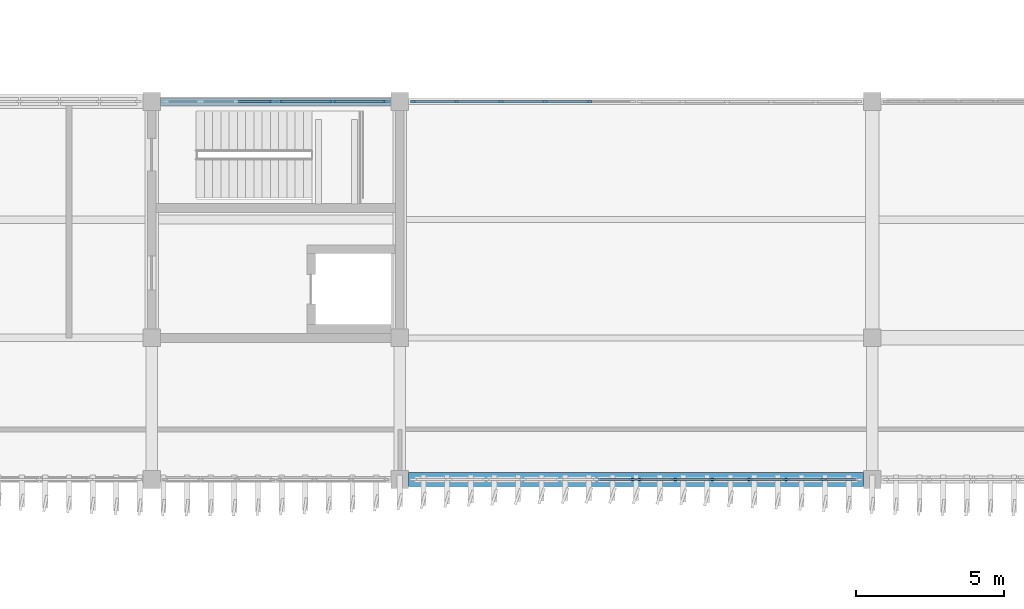
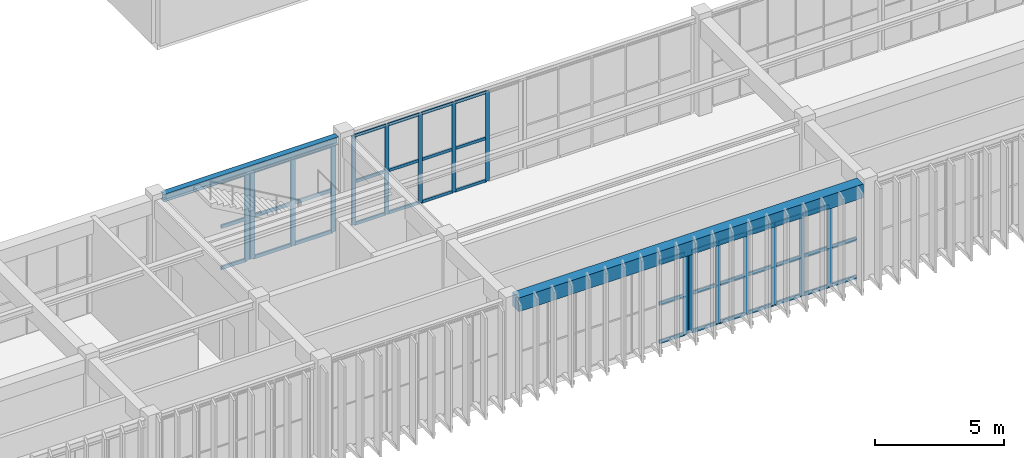
# One storey, part 15 of 64: 57 members, 2 beams, 5 elements without a shape of their own.
"""IFC4 building model written with IfcOpenShell, lengths in metres."""

from ifc_helpers import new_model, si_unit, direction, frame, origin, origin_2d, place, context, subcontext, project, spatial, rectangle, i_section, extrude, material, layer, layer_set, material_profile, profile_set, type_object, element, aggregate, save


model = new_model("IFC4")

# Units and contexts
model_context = context("Model", 3, precision=1e-05, world=origin(), true_north=direction((0.0, 1.0)))
body_context = subcontext(model_context, "Body", "Model", "MODEL_VIEW")
ifc_project = project(units=[si_unit("LENGTHUNIT", "METRE"), si_unit("AREAUNIT", "SQUARE_METRE"), si_unit("VOLUMEUNIT", "CUBIC_METRE"), si_unit("PLANEANGLEUNIT", "RADIAN"), si_unit("MASSUNIT", "GRAM", prefix="KILO")], contexts=[model_context])

# Site, building, storey
site_placement = place(None, origin())
site = spatial("IfcSite", under=ifc_project, at=site_placement, CompositionType="ELEMENT")
building_placement = place(site_placement, origin())
building = spatial("IfcBuilding", under=site, at=building_placement, Name="Cinchona Park Media Centre", CompositionType="ELEMENT")
storey_placement = place(building_placement, frame((0.0, 0.0, 5.39990234375)))
storey = spatial("IfcBuildingStorey", under=building, at=storey_placement, Name="L01", CompositionType="ELEMENT", Elevation=5.39990234375)

# Beams
ifc_material_1 = material(Name="Concrete C40/50", Category="concrete")
ifc_material_profile_1 = material_profile(ifc_material_1, rectangle(XDim=0.47998046875, YDim=0.64990234375, at=origin_2d()), Name="RB 480X650")
ifc_profile_set_1 = profile_set([ifc_material_profile_1], Name="Concrete C40/50")
beam_type_1 = type_object("IfcBeamType", Name="BEAM-B07-RB480X650", PredefinedType="BEAM", material=ifc_profile_set_1)
beam_1_placement = place(storey_placement, frame((95.10009765625, 74.800048828125, 4.215087890625), z_axis=(1.0, 0.0, 0.0), x_axis=(0.0, 1.0, 0.0)))
element("IfcBeam", 1, at=beam_1_placement, inside=storey, type_object=beam_type_1, Name="Beam B07 L01", PredefinedType="BEAM", context=body_context, shape_type="SweptSolid", body=[
    extrude(rectangle(XDim=0.47998046875, YDim=0.64990234375, at=origin_2d()), origin(), (0.0, 0.0, 1.0), 15.39990234375),
])
ifc_material_2 = material(Name="Steel S355", Category="steel")
ifc_material_profile_2 = material_profile(ifc_material_2, i_section(OverallWidth=0.257080078125, OverallDepth=0.363037109375, WebThickness=0.012939453125, FlangeThickness=0.021728515625, at=origin_2d()), Name="W360X122")
ifc_profile_set_2 = profile_set([ifc_material_profile_2], Name="Steel S355")
beam_type_2 = type_object("IfcBeamType", Name="BEAM-B08-W360X122", PredefinedType="BEAM", material=ifc_profile_set_2)
beam_2_placement = place(storey_placement, frame((86.699951171875, 87.60009765625, 4.358642578125), z_axis=(1.0, 0.0, 0.0), x_axis=(0.0, 1.0, 0.0)))
element("IfcBeam", 2, at=beam_2_placement, inside=storey, type_object=beam_type_2, Name="Beam B08 L01", PredefinedType="BEAM", context=body_context, shape_type="SweptSolid", body=[
    extrude(i_section(OverallWidth=0.257080078125, OverallDepth=0.363037109375, WebThickness=0.012939453125, FlangeThickness=0.021728515625, at=origin_2d()), origin(), (0.0, 0.0, 1.0), 7.800048828125),
])

# Curtain wall, members
ifc_material_3 = material(Name="Aluminium Curtain Wall Framing", Category="aluminium")
ifc_layer_1 = layer(ifc_material_3, 0.284912109375)
ifc_layer_set_1 = layer_set([ifc_layer_1], Name="Aluminium Curtain Wall Framing")
curtain_wall_type_1 = type_object("IfcCurtainWallType", Name="CW-CW08", PredefinedType="USERDEFINED", material=ifc_layer_set_1)
curtain_wall_1_placement = place(storey_placement, origin())
curtain_wall_1 = element("IfcCurtainWall", 3, at=curtain_wall_1_placement, inside=storey, type_object=curtain_wall_type_1, Name="Curtain Wall CW08 L01", ObjectType="UNITISED CURTAIN WALL", PredefinedType="USERDEFINED")
ifc_material_4 = material(Name="Anodised Aluminium Alloy 6063-T6", Category="aluminium")
ifc_material_profile_3 = material_profile(ifc_material_4, rectangle(XDim=0.070068359375, YDim=0.179931640625, at=origin_2d()), Name="MUL-70X180")
ifc_profile_set_3 = profile_set([ifc_material_profile_3], Name="Anodised Aluminium Alloy 6063-T6")
member_type_1 = type_object("IfcMemberType", Name="MULLION-MUL02", PredefinedType="MULLION", material=ifc_profile_set_3)
member_1_placement = place(storey_placement, frame((95.2548828125, 87.60009765625, 0.050048828125), z_axis=(0.0, 0.0, 1.0), x_axis=(0.0, 1.0, 0.0)))
member_1 = element("IfcMember", 4, at=member_1_placement, type_object=member_type_1, Name="CW08 mullion 1", PredefinedType="MULLION", context=body_context, shape_type="SweptSolid", body=[
    extrude(rectangle(XDim=0.070068359375, YDim=0.179931640625, at=origin_2d()), origin(), (0.0, 0.0, 1.0), 4.238037109375),
])
member_2_placement = place(storey_placement, frame((96.719970703125, 87.60009765625, 0.050048828125), z_axis=(0.0, 0.0, 1.0), x_axis=(0.0, 1.0, 0.0)))
member_2 = element("IfcMember", 5, at=member_2_placement, type_object=member_type_1, Name="CW08 mullion 2", PredefinedType="MULLION", context=body_context, shape_type="SweptSolid", body=[
    extrude(rectangle(XDim=0.070068359375, YDim=0.179931640625, at=origin_2d()), origin(), (0.0, 0.0, 1.0), 4.238037109375),
])
member_3_placement = place(storey_placement, frame((98.219970703125, 87.60009765625, 0.050048828125), z_axis=(0.0, 0.0, 1.0), x_axis=(0.0, 1.0, 0.0)))
member_3 = element("IfcMember", 6, at=member_3_placement, type_object=member_type_1, Name="CW08 mullion 3", PredefinedType="MULLION", context=body_context, shape_type="SweptSolid", body=[
    extrude(rectangle(XDim=0.070068359375, YDim=0.179931640625, at=origin_2d()), origin(), (0.0, 0.0, 1.0), 4.238037109375),
])
member_4_placement = place(storey_placement, frame((99.719970703125, 87.60009765625, 0.050048828125), z_axis=(0.0, 0.0, 1.0), x_axis=(0.0, 1.0, 0.0)))
member_4 = element("IfcMember", 7, at=member_4_placement, type_object=member_type_1, Name="CW08 mullion 4", PredefinedType="MULLION", context=body_context, shape_type="SweptSolid", body=[
    extrude(rectangle(XDim=0.070068359375, YDim=0.179931640625, at=origin_2d()), origin(), (0.0, 0.0, 1.0), 4.238037109375),
])
member_5_placement = place(storey_placement, frame((101.219970703125, 87.60009765625, 0.050048828125), z_axis=(0.0, 0.0, 1.0), x_axis=(0.0, 1.0, 0.0)))
member_5 = element("IfcMember", 8, at=member_5_placement, type_object=member_type_1, Name="CW08 mullion 5", PredefinedType="MULLION", context=body_context, shape_type="SweptSolid", body=[
    extrude(rectangle(XDim=0.070068359375, YDim=0.179931640625, at=origin_2d()), origin(), (0.0, 0.0, 1.0), 4.238037109375),
])

# Curtain wall, member
ifc_material_5 = material(Name="Aluminium Curtain Wall Framing", Category="aluminium")
ifc_layer_2 = layer(ifc_material_5, 0.2548828125)
ifc_layer_set_2 = layer_set([ifc_layer_2], Name="Aluminium Curtain Wall Framing")
curtain_wall_type_2 = type_object("IfcCurtainWallType", Name="CW-CW06", PredefinedType="USERDEFINED", material=ifc_layer_set_2)
curtain_wall_2_placement = place(storey_placement, origin())
curtain_wall_2 = element("IfcCurtainWall", 9, at=curtain_wall_2_placement, inside=storey, type_object=curtain_wall_type_2, Name="Curtain Wall CW06 L01", ObjectType="UNITISED CURTAIN WALL", PredefinedType="USERDEFINED")
ifc_material_6 = material(Name="Anodised Aluminium Alloy 6063-T6", Category="aluminium")
ifc_material_profile_4 = material_profile(ifc_material_6, rectangle(XDim=0.074951171875, YDim=0.2099609375, at=origin_2d()), Name="MUL-75X210")
ifc_profile_set_4 = profile_set([ifc_material_profile_4], Name="Anodised Aluminium Alloy 6063-T6")
member_type_2 = type_object("IfcMemberType", Name="MULLION-MUL03", PredefinedType="MULLION", material=ifc_profile_set_4)
member_6_placement = place(storey_placement, frame((90.482421875, 87.60009765625, 0.050048828125), z_axis=(0.0, 0.0, 1.0), x_axis=(0.0, 1.0, 0.0)))
member_6 = element("IfcMember", 10, at=member_6_placement, type_object=member_type_2, Name="CW06 mullion 4", PredefinedType="MULLION", context=body_context, shape_type="SweptSolid", body=[
    extrude(rectangle(XDim=0.074951171875, YDim=0.2099609375, at=origin_2d()), origin(), (0.0, 0.0, 1.0), 4.126953125),
])

# Curtain wall, members
ifc_material_7 = material(Name="Aluminium Curtain Wall Framing", Category="aluminium")
ifc_layer_3 = layer(ifc_material_7, 0.27001953125)
ifc_layer_set_3 = layer_set([ifc_layer_3], Name="Aluminium Curtain Wall Framing")
curtain_wall_type_3 = type_object("IfcCurtainWallType", Name="CW-CW07", PredefinedType="USERDEFINED", material=ifc_layer_set_3)
curtain_wall_3_placement = place(storey_placement, origin())
curtain_wall_3 = element("IfcCurtainWall", 11, at=curtain_wall_3_placement, inside=storey, type_object=curtain_wall_type_3, Name="Curtain Wall CW07 L01", ObjectType="UNITISED CURTAIN WALL", PredefinedType="USERDEFINED")
member_7_placement = place(storey_placement, frame((90.717529296875, 87.60009765625, 0.050048828125), z_axis=(0.0, 0.0, 1.0), x_axis=(0.0, 1.0, 0.0)))
member_7 = element("IfcMember", 12, at=member_7_placement, type_object=member_type_2, Name="CW07 mullion 1", PredefinedType="MULLION", context=body_context, shape_type="SweptSolid", body=[
    extrude(rectangle(XDim=0.074951171875, YDim=0.2099609375, at=origin_2d()), origin(), (0.0, 0.0, 1.0), 4.126953125),
])
member_8_placement = place(storey_placement, frame((92.530029296875, 87.60009765625, 0.050048828125), z_axis=(0.0, 0.0, 1.0), x_axis=(0.0, 1.0, 0.0)))
member_8 = element("IfcMember", 13, at=member_8_placement, type_object=member_type_2, Name="CW07 mullion 2", PredefinedType="MULLION", context=body_context, shape_type="SweptSolid", body=[
    extrude(rectangle(XDim=0.074951171875, YDim=0.2099609375, at=origin_2d()), origin(), (0.0, 0.0, 1.0), 4.126953125),
])
member_9_placement = place(storey_placement, frame((94.342529296875, 87.60009765625, 0.050048828125), z_axis=(0.0, 0.0, 1.0), x_axis=(0.0, 1.0, 0.0)))
member_9 = element("IfcMember", 14, at=member_9_placement, type_object=member_type_2, Name="CW07 mullion 3", PredefinedType="MULLION", context=body_context, shape_type="SweptSolid", body=[
    extrude(rectangle(XDim=0.074951171875, YDim=0.2099609375, at=origin_2d()), origin(), (0.0, 0.0, 1.0), 4.126953125),
])

ifc_material_8 = material(Name="Aluminium Curtain Wall Framing", Category="aluminium")
ifc_layer_4 = layer(ifc_material_8, 0.2099609375)
ifc_layer_set_4 = layer_set([ifc_layer_4], Name="Aluminium Curtain Wall Framing")
curtain_wall_type_4 = type_object("IfcCurtainWallType", Name="CW-CW03", PredefinedType="USERDEFINED", material=ifc_layer_set_4)
curtain_wall_4_placement = place(storey_placement, origin())
curtain_wall_4 = element("IfcCurtainWall", 15, at=curtain_wall_4_placement, inside=storey, type_object=curtain_wall_type_4, Name="Curtain Wall CW03 L01", ObjectType="UNITISED CURTAIN WALL", PredefinedType="USERDEFINED")
member_10_placement = place(storey_placement, frame((109.1298828125, 74.800048828125, 0.050048828125), z_axis=(0.0, 0.0, 1.0), x_axis=(0.0, -1.0, 0.0)))
member_10 = element("IfcMember", 16, at=member_10_placement, type_object=member_type_2, Name="CW03 mullion 2", PredefinedType="MULLION", context=body_context, shape_type="SweptSolid", body=[
    extrude(rectangle(XDim=0.074951171875, YDim=0.2099609375, at=origin_2d()), origin(), (0.0, 0.0, 1.0), 3.840087890625),
])
member_11_placement = place(storey_placement, frame((107.8798828125, 74.800048828125, 0.050048828125), z_axis=(0.0, 0.0, 1.0), x_axis=(0.0, -1.0, 0.0)))
member_11 = element("IfcMember", 17, at=member_11_placement, type_object=member_type_2, Name="CW03 mullion 3", PredefinedType="MULLION", context=body_context, shape_type="SweptSolid", body=[
    extrude(rectangle(XDim=0.074951171875, YDim=0.2099609375, at=origin_2d()), origin(), (0.0, 0.0, 1.0), 3.840087890625),
])
member_12_placement = place(storey_placement, frame((106.6298828125, 74.800048828125, 0.050048828125), z_axis=(0.0, 0.0, 1.0), x_axis=(0.0, -1.0, 0.0)))
member_12 = element("IfcMember", 18, at=member_12_placement, type_object=member_type_2, Name="CW03 mullion 4", PredefinedType="MULLION", context=body_context, shape_type="SweptSolid", body=[
    extrude(rectangle(XDim=0.074951171875, YDim=0.2099609375, at=origin_2d()), origin(), (0.0, 0.0, 1.0), 3.840087890625),
])
member_13_placement = place(storey_placement, frame((105.3798828125, 74.800048828125, 0.050048828125), z_axis=(0.0, 0.0, 1.0), x_axis=(0.0, -1.0, 0.0)))
member_13 = element("IfcMember", 19, at=member_13_placement, type_object=member_type_2, Name="CW03 mullion 5", PredefinedType="MULLION", context=body_context, shape_type="SweptSolid", body=[
    extrude(rectangle(XDim=0.074951171875, YDim=0.2099609375, at=origin_2d()), origin(), (0.0, 0.0, 1.0), 3.840087890625),
])
member_14_placement = place(storey_placement, frame((104.1298828125, 74.800048828125, 0.050048828125), z_axis=(0.0, 0.0, 1.0), x_axis=(0.0, -1.0, 0.0)))
member_14 = element("IfcMember", 20, at=member_14_placement, type_object=member_type_2, Name="CW03 mullion 6", PredefinedType="MULLION", context=body_context, shape_type="SweptSolid", body=[
    extrude(rectangle(XDim=0.074951171875, YDim=0.2099609375, at=origin_2d()), origin(), (0.0, 0.0, 1.0), 3.840087890625),
])
member_15_placement = place(storey_placement, frame((102.91748046875, 74.800048828125, 0.050048828125), z_axis=(0.0, 0.0, 1.0), x_axis=(0.0, -1.0, 0.0)))
member_15 = element("IfcMember", 21, at=member_15_placement, type_object=member_type_2, Name="CW03 mullion 7", PredefinedType="MULLION", context=body_context, shape_type="SweptSolid", body=[
    extrude(rectangle(XDim=0.074951171875, YDim=0.2099609375, at=origin_2d()), origin(), (0.0, 0.0, 1.0), 3.840087890625),
])

# Curtain wall, member
ifc_material_9 = material(Name="Aluminium Curtain Wall Framing", Category="aluminium")
ifc_layer_5 = layer(ifc_material_9, 0.22509765625)
ifc_layer_set_5 = layer_set([ifc_layer_5], Name="Aluminium Curtain Wall Framing")
curtain_wall_type_5 = type_object("IfcCurtainWallType", Name="CW-CW04", PredefinedType="USERDEFINED", material=ifc_layer_set_5)
curtain_wall_5_placement = place(storey_placement, origin())
curtain_wall_5 = element("IfcCurtainWall", 22, at=curtain_wall_5_placement, inside=storey, type_object=curtain_wall_type_5, Name="Curtain Wall CW04 L01", ObjectType="UNITISED CURTAIN WALL", PredefinedType="USERDEFINED")
member_16_placement = place(storey_placement, frame((102.6826171875, 74.800048828125, 0.050048828125), z_axis=(0.0, 0.0, 1.0), x_axis=(0.0, -1.0, 0.0)))
member_16 = element("IfcMember", 23, at=member_16_placement, type_object=member_type_2, Name="CW04 mullion 1", PredefinedType="MULLION", context=body_context, shape_type="SweptSolid", body=[
    extrude(rectangle(XDim=0.074951171875, YDim=0.2099609375, at=origin_2d()), origin(), (0.0, 0.0, 1.0), 3.840087890625),
])

# Member
ifc_material_10 = material(Name="Anodised Aluminium Alloy 6063-T6", Category="aluminium")
ifc_material_profile_5 = material_profile(ifc_material_10, rectangle(XDim=0.070068359375, YDim=0.139892578125, at=origin_2d()), Name="TRN-70X140")
ifc_profile_set_5 = profile_set([ifc_material_profile_5], Name="Anodised Aluminium Alloy 6063-T6")
member_type_3 = type_object("IfcMemberType", Name="TRANSOM-TRN02", PredefinedType="USERDEFINED", material=ifc_profile_set_5)
member_17_placement = place(storey_placement, frame((95.2900390625, 87.60009765625, 0.085205078125), z_axis=(1.0, 0.0, 0.0), x_axis=(0.0, 1.0, 0.0)))
member_17 = element("IfcMember", 24, at=member_17_placement, type_object=member_type_3, Name="CW08 transom 1.1", ObjectType="TRANSOM", PredefinedType="USERDEFINED", context=body_context, shape_type="SweptSolid", body=[
    extrude(rectangle(XDim=0.070068359375, YDim=0.139892578125, at=origin_2d()), origin(), (0.0, 0.0, 1.0), 1.39501953125),
])

member_18_placement = place(storey_placement, frame((95.2900390625, 87.60009765625, 2.083984375), z_axis=(1.0, 0.0, 0.0), x_axis=(0.0, 1.0, 0.0)))
member_18 = element("IfcMember", 25, at=member_18_placement, type_object=member_type_3, Name="CW08 transom 1.2", ObjectType="TRANSOM", PredefinedType="USERDEFINED", context=body_context, shape_type="SweptSolid", body=[
    extrude(rectangle(XDim=0.070068359375, YDim=0.139892578125, at=origin_2d()), origin(), (0.0, 0.0, 1.0), 1.39501953125),
])

member_19_placement = place(storey_placement, frame((95.2900390625, 87.60009765625, 4.253173828125), z_axis=(1.0, 0.0, 0.0), x_axis=(0.0, 1.0, 0.0)))
member_19 = element("IfcMember", 26, at=member_19_placement, type_object=member_type_3, Name="CW08 transom 1.3", ObjectType="TRANSOM", PredefinedType="USERDEFINED", context=body_context, shape_type="SweptSolid", body=[
    extrude(rectangle(XDim=0.070068359375, YDim=0.139892578125, at=origin_2d()), origin(), (0.0, 0.0, 1.0), 1.39501953125),
])

member_20_placement = place(storey_placement, frame((96.7548828125, 87.60009765625, 0.085205078125), z_axis=(1.0, 0.0, 0.0), x_axis=(0.0, 1.0, 0.0)))
member_20 = element("IfcMember", 27, at=member_20_placement, type_object=member_type_3, Name="CW08 transom 2.1", ObjectType="TRANSOM", PredefinedType="USERDEFINED", context=body_context, shape_type="SweptSolid", body=[
    extrude(rectangle(XDim=0.070068359375, YDim=0.139892578125, at=origin_2d()), origin(), (0.0, 0.0, 1.0), 1.43017578125),
])

member_21_placement = place(storey_placement, frame((96.7548828125, 87.60009765625, 2.083984375), z_axis=(1.0, 0.0, 0.0), x_axis=(0.0, 1.0, 0.0)))
member_21 = element("IfcMember", 28, at=member_21_placement, type_object=member_type_3, Name="CW08 transom 2.2", ObjectType="TRANSOM", PredefinedType="USERDEFINED", context=body_context, shape_type="SweptSolid", body=[
    extrude(rectangle(XDim=0.070068359375, YDim=0.139892578125, at=origin_2d()), origin(), (0.0, 0.0, 1.0), 1.43017578125),
])

member_22_placement = place(storey_placement, frame((96.7548828125, 87.60009765625, 4.253173828125), z_axis=(1.0, 0.0, 0.0), x_axis=(0.0, 1.0, 0.0)))
member_22 = element("IfcMember", 29, at=member_22_placement, type_object=member_type_3, Name="CW08 transom 2.3", ObjectType="TRANSOM", PredefinedType="USERDEFINED", context=body_context, shape_type="SweptSolid", body=[
    extrude(rectangle(XDim=0.070068359375, YDim=0.139892578125, at=origin_2d()), origin(), (0.0, 0.0, 1.0), 1.43017578125),
])

member_23_placement = place(storey_placement, frame((98.2548828125, 87.60009765625, 0.085205078125), z_axis=(1.0, 0.0, 0.0), x_axis=(0.0, 1.0, 0.0)))
member_23 = element("IfcMember", 30, at=member_23_placement, type_object=member_type_3, Name="CW08 transom 3.1", ObjectType="TRANSOM", PredefinedType="USERDEFINED", context=body_context, shape_type="SweptSolid", body=[
    extrude(rectangle(XDim=0.070068359375, YDim=0.139892578125, at=origin_2d()), origin(), (0.0, 0.0, 1.0), 1.43017578125),
])

member_24_placement = place(storey_placement, frame((98.2548828125, 87.60009765625, 2.083984375), z_axis=(1.0, 0.0, 0.0), x_axis=(0.0, 1.0, 0.0)))
member_24 = element("IfcMember", 31, at=member_24_placement, type_object=member_type_3, Name="CW08 transom 3.2", ObjectType="TRANSOM", PredefinedType="USERDEFINED", context=body_context, shape_type="SweptSolid", body=[
    extrude(rectangle(XDim=0.070068359375, YDim=0.139892578125, at=origin_2d()), origin(), (0.0, 0.0, 1.0), 1.43017578125),
])

member_25_placement = place(storey_placement, frame((98.2548828125, 87.60009765625, 4.253173828125), z_axis=(1.0, 0.0, 0.0), x_axis=(0.0, 1.0, 0.0)))
member_25 = element("IfcMember", 32, at=member_25_placement, type_object=member_type_3, Name="CW08 transom 3.3", ObjectType="TRANSOM", PredefinedType="USERDEFINED", context=body_context, shape_type="SweptSolid", body=[
    extrude(rectangle(XDim=0.070068359375, YDim=0.139892578125, at=origin_2d()), origin(), (0.0, 0.0, 1.0), 1.43017578125),
])

member_26_placement = place(storey_placement, frame((99.7548828125, 87.60009765625, 0.085205078125), z_axis=(1.0, 0.0, 0.0), x_axis=(0.0, 1.0, 0.0)))
member_26 = element("IfcMember", 33, at=member_26_placement, type_object=member_type_3, Name="CW08 transom 4.1", ObjectType="TRANSOM", PredefinedType="USERDEFINED", context=body_context, shape_type="SweptSolid", body=[
    extrude(rectangle(XDim=0.070068359375, YDim=0.139892578125, at=origin_2d()), origin(), (0.0, 0.0, 1.0), 1.43017578125),
])

member_27_placement = place(storey_placement, frame((99.7548828125, 87.60009765625, 2.083984375), z_axis=(1.0, 0.0, 0.0), x_axis=(0.0, 1.0, 0.0)))
member_27 = element("IfcMember", 34, at=member_27_placement, type_object=member_type_3, Name="CW08 transom 4.2", ObjectType="TRANSOM", PredefinedType="USERDEFINED", context=body_context, shape_type="SweptSolid", body=[
    extrude(rectangle(XDim=0.070068359375, YDim=0.139892578125, at=origin_2d()), origin(), (0.0, 0.0, 1.0), 1.43017578125),
])

member_28_placement = place(storey_placement, frame((99.7548828125, 87.60009765625, 4.253173828125), z_axis=(1.0, 0.0, 0.0), x_axis=(0.0, 1.0, 0.0)))
member_28 = element("IfcMember", 35, at=member_28_placement, type_object=member_type_3, Name="CW08 transom 4.3", ObjectType="TRANSOM", PredefinedType="USERDEFINED", context=body_context, shape_type="SweptSolid", body=[
    extrude(rectangle(XDim=0.070068359375, YDim=0.139892578125, at=origin_2d()), origin(), (0.0, 0.0, 1.0), 1.43017578125),
])

aggregate(curtain_wall_1, [member_1, member_2, member_3, member_4, member_5, member_17, member_18, member_19, member_20, member_21, member_22, member_23, member_24, member_25, member_26, member_27, member_28])

ifc_material_11 = material(Name="Anodised Aluminium Alloy 6063-T6", Category="aluminium")
ifc_material_profile_6 = material_profile(ifc_material_11, rectangle(XDim=0.074951171875, YDim=0.159912109375, at=origin_2d()), Name="TRN-75X160")
ifc_profile_set_6 = profile_set([ifc_material_profile_6], Name="Anodised Aluminium Alloy 6063-T6")
member_type_4 = type_object("IfcMemberType", Name="TRANSOM-TRN03", PredefinedType="USERDEFINED", material=ifc_profile_set_6)
member_29_placement = place(storey_placement, frame((89.32421875, 87.60009765625, 0.087646484375), z_axis=(1.0, 0.0, 0.0), x_axis=(0.0, 1.0, 0.0)))
member_29 = element("IfcMember", 36, at=member_29_placement, type_object=member_type_4, Name="CW06 transom 3.1", ObjectType="TRANSOM", PredefinedType="USERDEFINED", context=body_context, shape_type="SweptSolid", body=[
    extrude(rectangle(XDim=0.074951171875, YDim=0.159912109375, at=origin_2d()), origin(), (0.0, 0.0, 1.0), 1.120849609375),
])

member_30_placement = place(storey_placement, frame((89.32421875, 87.60009765625, 2.031005859375), z_axis=(1.0, 0.0, 0.0), x_axis=(0.0, 1.0, 0.0)))
member_30 = element("IfcMember", 37, at=member_30_placement, type_object=member_type_4, Name="CW06 transom 3.2", ObjectType="TRANSOM", PredefinedType="USERDEFINED", context=body_context, shape_type="SweptSolid", body=[
    extrude(rectangle(XDim=0.074951171875, YDim=0.159912109375, at=origin_2d()), origin(), (0.0, 0.0, 1.0), 1.120849609375),
])

member_31_placement = place(storey_placement, frame((89.32421875, 87.60009765625, 4.1396484375), z_axis=(1.0, 0.0, 0.0), x_axis=(0.0, 1.0, 0.0)))
member_31 = element("IfcMember", 38, at=member_31_placement, type_object=member_type_4, Name="CW06 transom 3.3", ObjectType="TRANSOM", PredefinedType="USERDEFINED", context=body_context, shape_type="SweptSolid", body=[
    extrude(rectangle(XDim=0.074951171875, YDim=0.159912109375, at=origin_2d()), origin(), (0.0, 0.0, 1.0), 1.120849609375),
])

aggregate(curtain_wall_2, [member_6, member_29, member_30, member_31])

member_32_placement = place(storey_placement, frame((90.7548828125, 87.60009765625, 0.087646484375), z_axis=(1.0, 0.0, 0.0), x_axis=(0.0, 1.0, 0.0)))
member_32 = element("IfcMember", 39, at=member_32_placement, type_object=member_type_4, Name="CW07 transom 1.1", ObjectType="TRANSOM", PredefinedType="USERDEFINED", context=body_context, shape_type="SweptSolid", body=[
    extrude(rectangle(XDim=0.074951171875, YDim=0.159912109375, at=origin_2d()), origin(), (0.0, 0.0, 1.0), 1.737548828125),
])

member_33_placement = place(storey_placement, frame((90.7548828125, 87.60009765625, 2.031005859375), z_axis=(1.0, 0.0, 0.0), x_axis=(0.0, 1.0, 0.0)))
member_33 = element("IfcMember", 40, at=member_33_placement, type_object=member_type_4, Name="CW07 transom 1.2", ObjectType="TRANSOM", PredefinedType="USERDEFINED", context=body_context, shape_type="SweptSolid", body=[
    extrude(rectangle(XDim=0.074951171875, YDim=0.159912109375, at=origin_2d()), origin(), (0.0, 0.0, 1.0), 1.737548828125),
])

member_34_placement = place(storey_placement, frame((90.7548828125, 87.60009765625, 4.1396484375), z_axis=(1.0, 0.0, 0.0), x_axis=(0.0, 1.0, 0.0)))
member_34 = element("IfcMember", 41, at=member_34_placement, type_object=member_type_4, Name="CW07 transom 1.3", ObjectType="TRANSOM", PredefinedType="USERDEFINED", context=body_context, shape_type="SweptSolid", body=[
    extrude(rectangle(XDim=0.074951171875, YDim=0.159912109375, at=origin_2d()), origin(), (0.0, 0.0, 1.0), 1.737548828125),
])

member_35_placement = place(storey_placement, frame((92.5673828125, 87.60009765625, 0.087646484375), z_axis=(1.0, 0.0, 0.0), x_axis=(0.0, 1.0, 0.0)))
member_35 = element("IfcMember", 42, at=member_35_placement, type_object=member_type_4, Name="CW07 transom 2.1", ObjectType="TRANSOM", PredefinedType="USERDEFINED", context=body_context, shape_type="SweptSolid", body=[
    extrude(rectangle(XDim=0.074951171875, YDim=0.159912109375, at=origin_2d()), origin(), (0.0, 0.0, 1.0), 1.737548828125),
])

member_36_placement = place(storey_placement, frame((92.5673828125, 87.60009765625, 2.031005859375), z_axis=(1.0, 0.0, 0.0), x_axis=(0.0, 1.0, 0.0)))
member_36 = element("IfcMember", 43, at=member_36_placement, type_object=member_type_4, Name="CW07 transom 2.2", ObjectType="TRANSOM", PredefinedType="USERDEFINED", context=body_context, shape_type="SweptSolid", body=[
    extrude(rectangle(XDim=0.074951171875, YDim=0.159912109375, at=origin_2d()), origin(), (0.0, 0.0, 1.0), 1.737548828125),
])

member_37_placement = place(storey_placement, frame((92.5673828125, 87.60009765625, 4.1396484375), z_axis=(1.0, 0.0, 0.0), x_axis=(0.0, 1.0, 0.0)))
member_37 = element("IfcMember", 44, at=member_37_placement, type_object=member_type_4, Name="CW07 transom 2.3", ObjectType="TRANSOM", PredefinedType="USERDEFINED", context=body_context, shape_type="SweptSolid", body=[
    extrude(rectangle(XDim=0.074951171875, YDim=0.159912109375, at=origin_2d()), origin(), (0.0, 0.0, 1.0), 1.737548828125),
])

aggregate(curtain_wall_3, [member_7, member_8, member_9, member_32, member_33, member_34, member_35, member_36, member_37])

member_38_placement = place(storey_placement, frame((110.304931640625, 74.800048828125, 0.087646484375), z_axis=(-1.0, 0.0, 0.0), x_axis=(0.0, -1.0, 0.0)))
member_38 = element("IfcMember", 45, at=member_38_placement, type_object=member_type_4, Name="CW03 transom 1.1", ObjectType="TRANSOM", PredefinedType="USERDEFINED", context=body_context, shape_type="SweptSolid", body=[
    extrude(rectangle(XDim=0.074951171875, YDim=0.159912109375, at=origin_2d()), origin(), (0.0, 0.0, 1.0), 1.137451171875),
])

member_39_placement = place(storey_placement, frame((110.304931640625, 74.800048828125, 1.89306640625), z_axis=(-1.0, 0.0, 0.0), x_axis=(0.0, -1.0, 0.0)))
member_39 = element("IfcMember", 46, at=member_39_placement, type_object=member_type_4, Name="CW03 transom 1.2", ObjectType="TRANSOM", PredefinedType="USERDEFINED", context=body_context, shape_type="SweptSolid", body=[
    extrude(rectangle(XDim=0.074951171875, YDim=0.159912109375, at=origin_2d()), origin(), (0.0, 0.0, 1.0), 1.137451171875),
])

member_40_placement = place(storey_placement, frame((109.092529296875, 74.800048828125, 0.087646484375), z_axis=(-1.0, 0.0, 0.0), x_axis=(0.0, -1.0, 0.0)))
member_40 = element("IfcMember", 47, at=member_40_placement, type_object=member_type_4, Name="CW03 transom 2.1", ObjectType="TRANSOM", PredefinedType="USERDEFINED", context=body_context, shape_type="SweptSolid", body=[
    extrude(rectangle(XDim=0.074951171875, YDim=0.159912109375, at=origin_2d()), origin(), (0.0, 0.0, 1.0), 1.175048828125),
])

member_41_placement = place(storey_placement, frame((109.092529296875, 74.800048828125, 1.89306640625), z_axis=(-1.0, 0.0, 0.0), x_axis=(0.0, -1.0, 0.0)))
member_41 = element("IfcMember", 48, at=member_41_placement, type_object=member_type_4, Name="CW03 transom 2.2", ObjectType="TRANSOM", PredefinedType="USERDEFINED", context=body_context, shape_type="SweptSolid", body=[
    extrude(rectangle(XDim=0.074951171875, YDim=0.159912109375, at=origin_2d()), origin(), (0.0, 0.0, 1.0), 1.175048828125),
])

member_42_placement = place(storey_placement, frame((109.092529296875, 74.800048828125, 3.8525390625), z_axis=(-1.0, 0.0, 0.0), x_axis=(0.0, -1.0, 0.0)))
member_42 = element("IfcMember", 49, at=member_42_placement, type_object=member_type_4, Name="CW03 transom 2.3", ObjectType="TRANSOM", PredefinedType="USERDEFINED", context=body_context, shape_type="SweptSolid", body=[
    extrude(rectangle(XDim=0.074951171875, YDim=0.159912109375, at=origin_2d()), origin(), (0.0, 0.0, 1.0), 1.175048828125),
])

member_43_placement = place(storey_placement, frame((107.842529296875, 74.800048828125, 0.087646484375), z_axis=(-1.0, 0.0, 0.0), x_axis=(0.0, -1.0, 0.0)))
member_43 = element("IfcMember", 50, at=member_43_placement, type_object=member_type_4, Name="CW03 transom 3.1", ObjectType="TRANSOM", PredefinedType="USERDEFINED", context=body_context, shape_type="SweptSolid", body=[
    extrude(rectangle(XDim=0.074951171875, YDim=0.159912109375, at=origin_2d()), origin(), (0.0, 0.0, 1.0), 1.175048828125),
])

member_44_placement = place(storey_placement, frame((107.842529296875, 74.800048828125, 1.89306640625), z_axis=(-1.0, 0.0, 0.0), x_axis=(0.0, -1.0, 0.0)))
member_44 = element("IfcMember", 51, at=member_44_placement, type_object=member_type_4, Name="CW03 transom 3.2", ObjectType="TRANSOM", PredefinedType="USERDEFINED", context=body_context, shape_type="SweptSolid", body=[
    extrude(rectangle(XDim=0.074951171875, YDim=0.159912109375, at=origin_2d()), origin(), (0.0, 0.0, 1.0), 1.175048828125),
])

member_45_placement = place(storey_placement, frame((107.842529296875, 74.800048828125, 3.8525390625), z_axis=(-1.0, 0.0, 0.0), x_axis=(0.0, -1.0, 0.0)))
member_45 = element("IfcMember", 52, at=member_45_placement, type_object=member_type_4, Name="CW03 transom 3.3", ObjectType="TRANSOM", PredefinedType="USERDEFINED", context=body_context, shape_type="SweptSolid", body=[
    extrude(rectangle(XDim=0.074951171875, YDim=0.159912109375, at=origin_2d()), origin(), (0.0, 0.0, 1.0), 1.175048828125),
])

member_46_placement = place(storey_placement, frame((106.592529296875, 74.800048828125, 0.087646484375), z_axis=(-1.0, 0.0, 0.0), x_axis=(0.0, -1.0, 0.0)))
member_46 = element("IfcMember", 53, at=member_46_placement, type_object=member_type_4, Name="CW03 transom 4.1", ObjectType="TRANSOM", PredefinedType="USERDEFINED", context=body_context, shape_type="SweptSolid", body=[
    extrude(rectangle(XDim=0.074951171875, YDim=0.159912109375, at=origin_2d()), origin(), (0.0, 0.0, 1.0), 1.175048828125),
])

member_47_placement = place(storey_placement, frame((106.592529296875, 74.800048828125, 1.89306640625), z_axis=(-1.0, 0.0, 0.0), x_axis=(0.0, -1.0, 0.0)))
member_47 = element("IfcMember", 54, at=member_47_placement, type_object=member_type_4, Name="CW03 transom 4.2", ObjectType="TRANSOM", PredefinedType="USERDEFINED", context=body_context, shape_type="SweptSolid", body=[
    extrude(rectangle(XDim=0.074951171875, YDim=0.159912109375, at=origin_2d()), origin(), (0.0, 0.0, 1.0), 1.175048828125),
])

member_48_placement = place(storey_placement, frame((106.592529296875, 74.800048828125, 3.8525390625), z_axis=(-1.0, 0.0, 0.0), x_axis=(0.0, -1.0, 0.0)))
member_48 = element("IfcMember", 55, at=member_48_placement, type_object=member_type_4, Name="CW03 transom 4.3", ObjectType="TRANSOM", PredefinedType="USERDEFINED", context=body_context, shape_type="SweptSolid", body=[
    extrude(rectangle(XDim=0.074951171875, YDim=0.159912109375, at=origin_2d()), origin(), (0.0, 0.0, 1.0), 1.175048828125),
])

member_49_placement = place(storey_placement, frame((105.342529296875, 74.800048828125, 0.087646484375), z_axis=(-1.0, 0.0, 0.0), x_axis=(0.0, -1.0, 0.0)))
member_49 = element("IfcMember", 56, at=member_49_placement, type_object=member_type_4, Name="CW03 transom 5.1", ObjectType="TRANSOM", PredefinedType="USERDEFINED", context=body_context, shape_type="SweptSolid", body=[
    extrude(rectangle(XDim=0.074951171875, YDim=0.159912109375, at=origin_2d()), origin(), (0.0, 0.0, 1.0), 1.175048828125),
])

member_50_placement = place(storey_placement, frame((105.342529296875, 74.800048828125, 1.89306640625), z_axis=(-1.0, 0.0, 0.0), x_axis=(0.0, -1.0, 0.0)))
member_50 = element("IfcMember", 57, at=member_50_placement, type_object=member_type_4, Name="CW03 transom 5.2", ObjectType="TRANSOM", PredefinedType="USERDEFINED", context=body_context, shape_type="SweptSolid", body=[
    extrude(rectangle(XDim=0.074951171875, YDim=0.159912109375, at=origin_2d()), origin(), (0.0, 0.0, 1.0), 1.175048828125),
])

member_51_placement = place(storey_placement, frame((105.342529296875, 74.800048828125, 3.8525390625), z_axis=(-1.0, 0.0, 0.0), x_axis=(0.0, -1.0, 0.0)))
member_51 = element("IfcMember", 58, at=member_51_placement, type_object=member_type_4, Name="CW03 transom 5.3", ObjectType="TRANSOM", PredefinedType="USERDEFINED", context=body_context, shape_type="SweptSolid", body=[
    extrude(rectangle(XDim=0.074951171875, YDim=0.159912109375, at=origin_2d()), origin(), (0.0, 0.0, 1.0), 1.175048828125),
])

member_52_placement = place(storey_placement, frame((104.092529296875, 74.800048828125, 0.087646484375), z_axis=(-1.0, 0.0, 0.0), x_axis=(0.0, -1.0, 0.0)))
member_52 = element("IfcMember", 59, at=member_52_placement, type_object=member_type_4, Name="CW03 transom 6.1", ObjectType="TRANSOM", PredefinedType="USERDEFINED", context=body_context, shape_type="SweptSolid", body=[
    extrude(rectangle(XDim=0.074951171875, YDim=0.159912109375, at=origin_2d()), origin(), (0.0, 0.0, 1.0), 1.137451171875),
])

member_53_placement = place(storey_placement, frame((104.092529296875, 74.800048828125, 1.89306640625), z_axis=(-1.0, 0.0, 0.0), x_axis=(0.0, -1.0, 0.0)))
member_53 = element("IfcMember", 60, at=member_53_placement, type_object=member_type_4, Name="CW03 transom 6.2", ObjectType="TRANSOM", PredefinedType="USERDEFINED", context=body_context, shape_type="SweptSolid", body=[
    extrude(rectangle(XDim=0.074951171875, YDim=0.159912109375, at=origin_2d()), origin(), (0.0, 0.0, 1.0), 1.137451171875),
])

member_54_placement = place(storey_placement, frame((104.092529296875, 74.800048828125, 3.8525390625), z_axis=(-1.0, 0.0, 0.0), x_axis=(0.0, -1.0, 0.0)))
member_54 = element("IfcMember", 61, at=member_54_placement, type_object=member_type_4, Name="CW03 transom 6.3", ObjectType="TRANSOM", PredefinedType="USERDEFINED", context=body_context, shape_type="SweptSolid", body=[
    extrude(rectangle(XDim=0.074951171875, YDim=0.159912109375, at=origin_2d()), origin(), (0.0, 0.0, 1.0), 1.137451171875),
])

aggregate(curtain_wall_4, [member_10, member_11, member_12, member_13, member_14, member_15, member_38, member_39, member_40, member_41, member_42, member_43, member_44, member_45, member_46, member_47, member_48, member_49, member_50, member_51, member_52, member_53, member_54])

member_55_placement = place(storey_placement, frame((102.64501953125, 74.800048828125, 0.087646484375), z_axis=(-1.0, 0.0, 0.0), x_axis=(0.0, -1.0, 0.0)))
member_55 = element("IfcMember", 62, at=member_55_placement, type_object=member_type_4, Name="CW04 transom 1.1", ObjectType="TRANSOM", PredefinedType="USERDEFINED", context=body_context, shape_type="SweptSolid", body=[
    extrude(rectangle(XDim=0.074951171875, YDim=0.159912109375, at=origin_2d()), origin(), (0.0, 0.0, 1.0), 1.137451171875),
])

member_56_placement = place(storey_placement, frame((102.64501953125, 74.800048828125, 1.89306640625), z_axis=(-1.0, 0.0, 0.0), x_axis=(0.0, -1.0, 0.0)))
member_56 = element("IfcMember", 63, at=member_56_placement, type_object=member_type_4, Name="CW04 transom 1.2", ObjectType="TRANSOM", PredefinedType="USERDEFINED", context=body_context, shape_type="SweptSolid", body=[
    extrude(rectangle(XDim=0.074951171875, YDim=0.159912109375, at=origin_2d()), origin(), (0.0, 0.0, 1.0), 1.137451171875),
])

member_57_placement = place(storey_placement, frame((102.64501953125, 74.800048828125, 3.8525390625), z_axis=(-1.0, 0.0, 0.0), x_axis=(0.0, -1.0, 0.0)))
member_57 = element("IfcMember", 64, at=member_57_placement, type_object=member_type_4, Name="CW04 transom 1.3", ObjectType="TRANSOM", PredefinedType="USERDEFINED", context=body_context, shape_type="SweptSolid", body=[
    extrude(rectangle(XDim=0.074951171875, YDim=0.159912109375, at=origin_2d()), origin(), (0.0, 0.0, 1.0), 1.137451171875),
])

aggregate(curtain_wall_5, [member_16, member_55, member_56, member_57])

save(model, "model.ifc")
